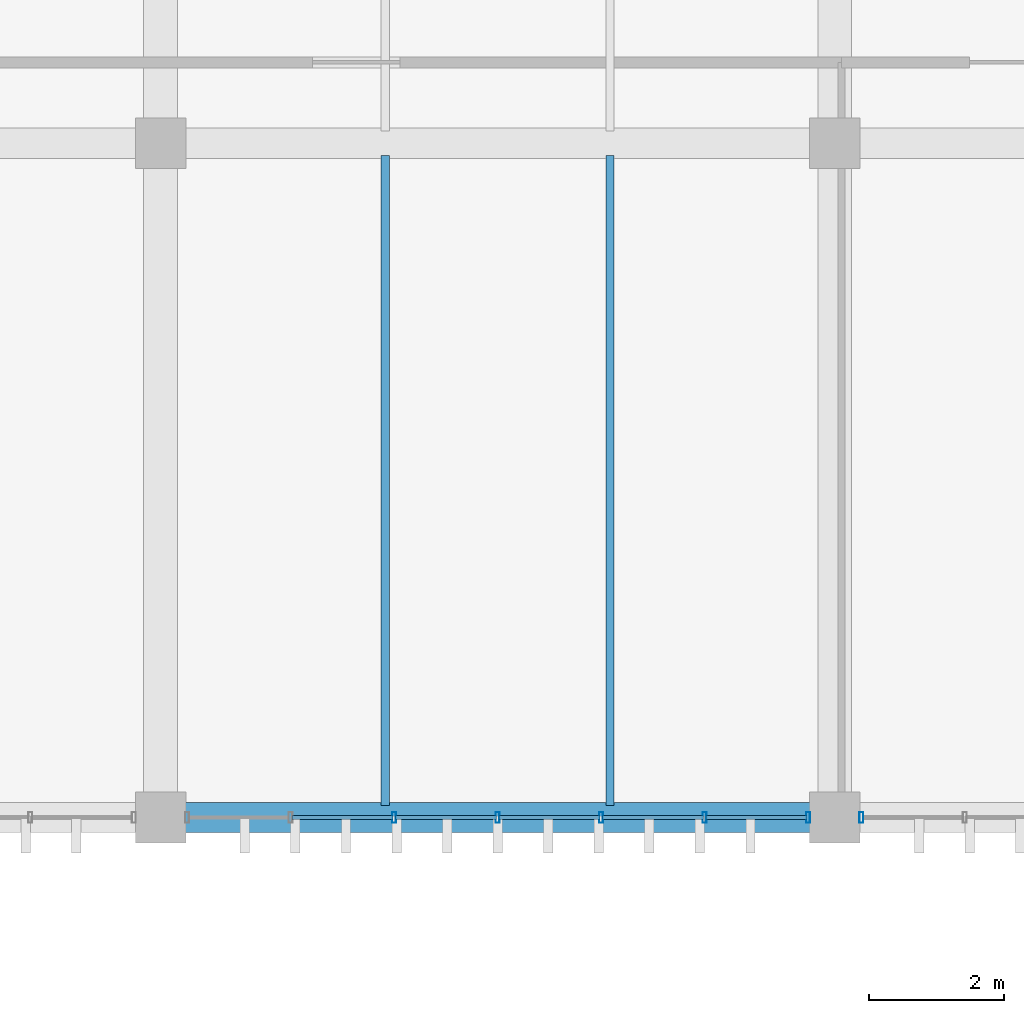
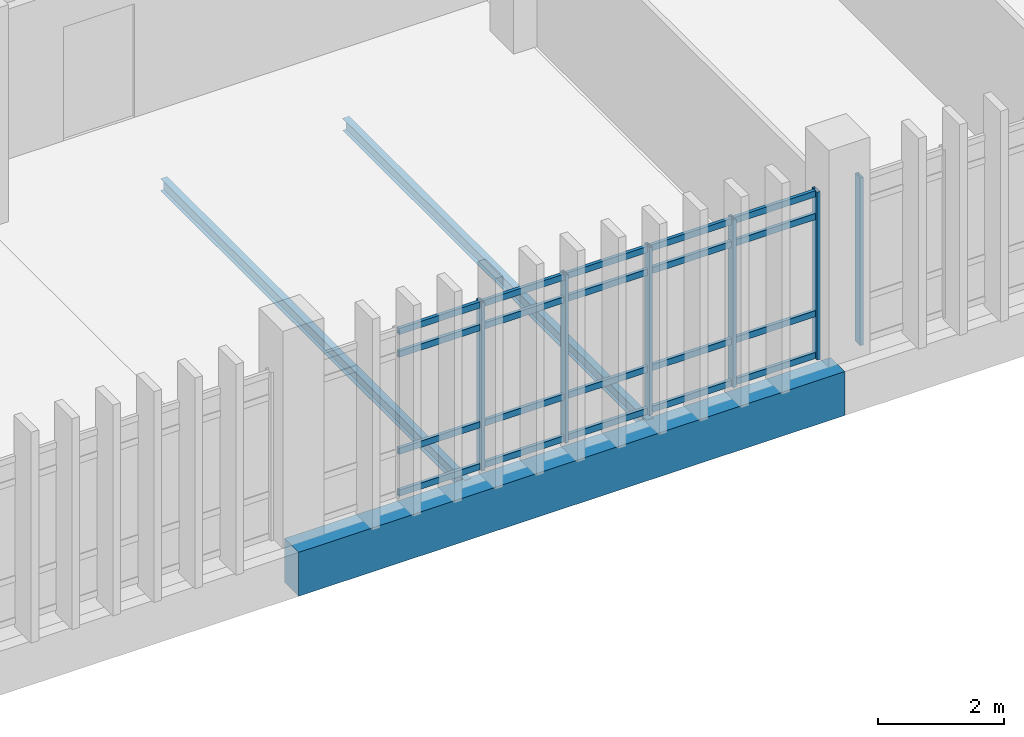
# One storey, part 43 of 111: 26 members, 3 beams, 2 elements without a shape of their own.
"""IFC4 building model written with IfcOpenShell, lengths in metres."""

from ifc_helpers import new_model, si_unit, direction, frame, origin, origin_2d, place, context, subcontext, project, spatial, rectangle, hollow_rectangle, i_section, extrude, material, layer, layer_set, material_profile, profile_set, type_object, element, aggregate, save


model = new_model("IFC4")

# Units and contexts
model_context = context("Model", 3, precision=1e-05, world=origin(), true_north=direction((0.0, 1.0)))
body_context = subcontext(model_context, "Body", "Model", "MODEL_VIEW")
ifc_project = project(units=[si_unit("LENGTHUNIT", "METRE"), si_unit("AREAUNIT", "SQUARE_METRE"), si_unit("VOLUMEUNIT", "CUBIC_METRE"), si_unit("PLANEANGLEUNIT", "RADIAN"), si_unit("MASSUNIT", "GRAM", prefix="KILO")], contexts=[model_context])

# Site, building, storey
site_placement = place(None, origin())
site = spatial("IfcSite", under=ifc_project, at=site_placement, CompositionType="ELEMENT")
building_placement = place(site_placement, origin())
building = spatial("IfcBuilding", under=site, at=building_placement, Name="Mersad Railyard Sports Hall", CompositionType="ELEMENT")
storey_placement = place(building_placement, frame((0.0, 0.0, 9.0)))
storey = spatial("IfcBuildingStorey", under=building, at=storey_placement, Name="L02", CompositionType="ELEMENT", Elevation=9.0)

# Curtain wall, members
ifc_material_1 = material(Name="Aluminium 6063-T6", Category="aluminium")
ifc_layer = layer(ifc_material_1, 0.159912109375)
ifc_layer_set = layer_set([ifc_layer], Name="Aluminium 6063-T6")
curtain_wall_type = type_object("IfcCurtainWallType", Name="ARC-CW-CW55", PredefinedType="USERDEFINED", material=ifc_layer_set)
curtain_wall_1_placement = place(storey_placement, origin())
curtain_wall_1 = element("IfcCurtainWall", 1, at=curtain_wall_1_placement, inside=storey, type_object=curtain_wall_type, Name="Curtain wall CW55-0148", ObjectType="CURTAIN WALL", PredefinedType="USERDEFINED")
ifc_material_profile_1 = material_profile(ifc_material_1, hollow_rectangle(XDim=0.06005859375, YDim=0.159912109375, WallThickness=0.00390625, at=origin_2d()), Name="AL MULLION 60x160x4")
ifc_profile_set_1 = profile_set([ifc_material_profile_1], Name="Aluminium 6063-T6")
member_type_1 = type_object("IfcMemberType", Name="ARC-CW-MUL01", PredefinedType="MULLION", material=ifc_profile_set_1)
member_1_placement = place(storey_placement, frame((110.60498046875, 85.0, -0.02001953125), z_axis=(0.0, 0.0, 1.0), x_axis=(1.0, 0.0, 0.0)))
member_1 = element("IfcMember", 2, at=member_1_placement, type_object=member_type_1, Name="CW55 Mullion 1", PredefinedType="MULLION", context=body_context, shape_type="SweptSolid", body=[
    extrude(hollow_rectangle(XDim=0.06005859375, YDim=0.159912109375, WallThickness=0.00390625, at=origin_2d()), origin(), (0.0, 0.0, 1.0), 3.25),
])
member_2_placement = place(storey_placement, frame((109.070068359375, 85.0, -0.02001953125), z_axis=(0.0, 0.0, 1.0), x_axis=(1.0, 0.0, 0.0)))
member_2 = element("IfcMember", 3, at=member_2_placement, type_object=member_type_1, Name="CW55 Mullion 2", PredefinedType="MULLION", context=body_context, shape_type="SweptSolid", body=[
    extrude(hollow_rectangle(XDim=0.06005859375, YDim=0.159912109375, WallThickness=0.00390625, at=origin_2d()), origin(), (0.0, 0.0, 1.0), 3.25),
])
member_3_placement = place(storey_placement, frame((107.534912109375, 85.0, -0.02001953125), z_axis=(0.0, 0.0, 1.0), x_axis=(1.0, 0.0, 0.0)))
member_3 = element("IfcMember", 4, at=member_3_placement, type_object=member_type_1, Name="CW55 Mullion 3", PredefinedType="MULLION", context=body_context, shape_type="SweptSolid", body=[
    extrude(hollow_rectangle(XDim=0.06005859375, YDim=0.159912109375, WallThickness=0.00390625, at=origin_2d()), origin(), (0.0, 0.0, 1.0), 3.25),
])
member_4_placement = place(storey_placement, frame((106.0, 85.0, -0.02001953125), z_axis=(0.0, 0.0, 1.0), x_axis=(1.0, 0.0, 0.0)))
member_4 = element("IfcMember", 5, at=member_4_placement, type_object=member_type_1, Name="CW55 Mullion 4", PredefinedType="MULLION", context=body_context, shape_type="SweptSolid", body=[
    extrude(hollow_rectangle(XDim=0.06005859375, YDim=0.159912109375, WallThickness=0.00390625, at=origin_2d()), origin(), (0.0, 0.0, 1.0), 3.25),
])
member_5_placement = place(storey_placement, frame((104.465087890625, 85.0, -0.02001953125), z_axis=(0.0, 0.0, 1.0), x_axis=(1.0, 0.0, 0.0)))
member_5 = element("IfcMember", 6, at=member_5_placement, type_object=member_type_1, Name="CW55 Mullion 5", PredefinedType="MULLION", context=body_context, shape_type="SweptSolid", body=[
    extrude(hollow_rectangle(XDim=0.06005859375, YDim=0.159912109375, WallThickness=0.00390625, at=origin_2d()), origin(), (0.0, 0.0, 1.0), 3.25),
])

# Curtain wall, member
curtain_wall_2_placement = place(storey_placement, origin())
curtain_wall_2 = element("IfcCurtainWall", 7, at=curtain_wall_2_placement, inside=storey, type_object=curtain_wall_type, Name="Curtain wall CW55-0149", ObjectType="CURTAIN WALL", PredefinedType="USERDEFINED")
member_6_placement = place(storey_placement, frame((111.39501953125, 85.0, -0.02001953125), z_axis=(0.0, 0.0, 1.0), x_axis=(1.0, 0.0, 0.0)))
member_6 = element("IfcMember", 8, at=member_6_placement, type_object=member_type_1, Name="CW55 Mullion 7", PredefinedType="MULLION", context=body_context, shape_type="SweptSolid", body=[
    extrude(hollow_rectangle(XDim=0.06005859375, YDim=0.159912109375, WallThickness=0.00390625, at=origin_2d()), origin(), (0.0, 0.0, 1.0), 3.25),
])
aggregate(curtain_wall_2, [member_6])

# Member
ifc_material_profile_2 = material_profile(ifc_material_1, hollow_rectangle(XDim=0.06005859375, YDim=0.1201171875, WallThickness=0.00390625, at=origin_2d()), Name="AL TRANSOM 60x120x4")
ifc_profile_set_2 = profile_set([ifc_material_profile_2], Name="Aluminium 6063-T6")
member_type_2 = type_object("IfcMemberType", Name="ARC-CW-TRN01", PredefinedType="USERDEFINED", material=ifc_profile_set_2)
member_7_placement = place(storey_placement, frame((110.5849609375, 85.0, 0.0400390625), z_axis=(-1.0, 0.0, 0.0), x_axis=(0.0, -1.0, 0.0)))
member_7 = element("IfcMember", 9, at=member_7_placement, type_object=member_type_2, Name="CW55 Transom 1-1", ObjectType="TRANSOM", PredefinedType="USERDEFINED", context=body_context, shape_type="SweptSolid", body=[
    extrude(hollow_rectangle(XDim=0.06005859375, YDim=0.1201171875, WallThickness=0.00390625, at=origin_2d()), origin(), (0.0, 0.0, 1.0), 1.494873046875),
])

member_8_placement = place(storey_placement, frame((109.050048828125, 85.0, 0.0400390625), z_axis=(-1.0, 0.0, 0.0), x_axis=(0.0, -1.0, 0.0)))
member_8 = element("IfcMember", 10, at=member_8_placement, type_object=member_type_2, Name="CW55 Transom 1-2", ObjectType="TRANSOM", PredefinedType="USERDEFINED", context=body_context, shape_type="SweptSolid", body=[
    extrude(hollow_rectangle(XDim=0.06005859375, YDim=0.1201171875, WallThickness=0.00390625, at=origin_2d()), origin(), (0.0, 0.0, 1.0), 1.4951171875),
])

member_9_placement = place(storey_placement, frame((107.514892578125, 85.0, 0.0400390625), z_axis=(-1.0, 0.0, 0.0), x_axis=(0.0, -1.0, 0.0)))
member_9 = element("IfcMember", 11, at=member_9_placement, type_object=member_type_2, Name="CW55 Transom 1-3", ObjectType="TRANSOM", PredefinedType="USERDEFINED", context=body_context, shape_type="SweptSolid", body=[
    extrude(hollow_rectangle(XDim=0.06005859375, YDim=0.1201171875, WallThickness=0.00390625, at=origin_2d()), origin(), (0.0, 0.0, 1.0), 1.494873046875),
])

member_10_placement = place(storey_placement, frame((105.97998046875, 85.0, 0.0400390625), z_axis=(-1.0, 0.0, 0.0), x_axis=(0.0, -1.0, 0.0)))
member_10 = element("IfcMember", 12, at=member_10_placement, type_object=member_type_2, Name="CW55 Transom 1-4", ObjectType="TRANSOM", PredefinedType="USERDEFINED", context=body_context, shape_type="SweptSolid", body=[
    extrude(hollow_rectangle(XDim=0.06005859375, YDim=0.1201171875, WallThickness=0.00390625, at=origin_2d()), origin(), (0.0, 0.0, 1.0), 1.494873046875),
])

member_11_placement = place(storey_placement, frame((104.445068359375, 85.0, 0.0400390625), z_axis=(-1.0, 0.0, 0.0), x_axis=(0.0, -1.0, 0.0)))
member_11 = element("IfcMember", 13, at=member_11_placement, type_object=member_type_2, Name="CW55 Transom 1-5", ObjectType="TRANSOM", PredefinedType="USERDEFINED", context=body_context, shape_type="SweptSolid", body=[
    extrude(hollow_rectangle(XDim=0.06005859375, YDim=0.1201171875, WallThickness=0.00390625, at=origin_2d()), origin(), (0.0, 0.0, 1.0), 1.4951171875),
])

member_12_placement = place(storey_placement, frame((110.5849609375, 85.0, 0.85009765625), z_axis=(-1.0, 0.0, 0.0), x_axis=(0.0, -1.0, 0.0)))
member_12 = element("IfcMember", 14, at=member_12_placement, type_object=member_type_2, Name="CW55 Transom 2-1", ObjectType="TRANSOM", PredefinedType="USERDEFINED", context=body_context, shape_type="SweptSolid", body=[
    extrude(hollow_rectangle(XDim=0.06005859375, YDim=0.1201171875, WallThickness=0.00390625, at=origin_2d()), origin(), (0.0, 0.0, 1.0), 1.494873046875),
])

member_13_placement = place(storey_placement, frame((109.050048828125, 85.0, 0.85009765625), z_axis=(-1.0, 0.0, 0.0), x_axis=(0.0, -1.0, 0.0)))
member_13 = element("IfcMember", 15, at=member_13_placement, type_object=member_type_2, Name="CW55 Transom 2-2", ObjectType="TRANSOM", PredefinedType="USERDEFINED", context=body_context, shape_type="SweptSolid", body=[
    extrude(hollow_rectangle(XDim=0.06005859375, YDim=0.1201171875, WallThickness=0.00390625, at=origin_2d()), origin(), (0.0, 0.0, 1.0), 1.4951171875),
])

member_14_placement = place(storey_placement, frame((107.514892578125, 85.0, 0.85009765625), z_axis=(-1.0, 0.0, 0.0), x_axis=(0.0, -1.0, 0.0)))
member_14 = element("IfcMember", 16, at=member_14_placement, type_object=member_type_2, Name="CW55 Transom 2-3", ObjectType="TRANSOM", PredefinedType="USERDEFINED", context=body_context, shape_type="SweptSolid", body=[
    extrude(hollow_rectangle(XDim=0.06005859375, YDim=0.1201171875, WallThickness=0.00390625, at=origin_2d()), origin(), (0.0, 0.0, 1.0), 1.494873046875),
])

member_15_placement = place(storey_placement, frame((105.97998046875, 85.0, 0.85009765625), z_axis=(-1.0, 0.0, 0.0), x_axis=(0.0, -1.0, 0.0)))
member_15 = element("IfcMember", 17, at=member_15_placement, type_object=member_type_2, Name="CW55 Transom 2-4", ObjectType="TRANSOM", PredefinedType="USERDEFINED", context=body_context, shape_type="SweptSolid", body=[
    extrude(hollow_rectangle(XDim=0.06005859375, YDim=0.1201171875, WallThickness=0.00390625, at=origin_2d()), origin(), (0.0, 0.0, 1.0), 1.494873046875),
])

member_16_placement = place(storey_placement, frame((104.445068359375, 85.0, 0.85009765625), z_axis=(-1.0, 0.0, 0.0), x_axis=(0.0, -1.0, 0.0)))
member_16 = element("IfcMember", 18, at=member_16_placement, type_object=member_type_2, Name="CW55 Transom 2-5", ObjectType="TRANSOM", PredefinedType="USERDEFINED", context=body_context, shape_type="SweptSolid", body=[
    extrude(hollow_rectangle(XDim=0.06005859375, YDim=0.1201171875, WallThickness=0.00390625, at=origin_2d()), origin(), (0.0, 0.0, 1.0), 1.4951171875),
])

member_17_placement = place(storey_placement, frame((110.5849609375, 85.0, 2.72998046875), z_axis=(-1.0, 0.0, 0.0), x_axis=(0.0, -1.0, 0.0)))
member_17 = element("IfcMember", 19, at=member_17_placement, type_object=member_type_2, Name="CW55 Transom 3-1", ObjectType="TRANSOM", PredefinedType="USERDEFINED", context=body_context, shape_type="SweptSolid", body=[
    extrude(hollow_rectangle(XDim=0.06005859375, YDim=0.1201171875, WallThickness=0.00390625, at=origin_2d()), origin(), (0.0, 0.0, 1.0), 1.494873046875),
])

member_18_placement = place(storey_placement, frame((109.050048828125, 85.0, 2.72998046875), z_axis=(-1.0, 0.0, 0.0), x_axis=(0.0, -1.0, 0.0)))
member_18 = element("IfcMember", 20, at=member_18_placement, type_object=member_type_2, Name="CW55 Transom 3-2", ObjectType="TRANSOM", PredefinedType="USERDEFINED", context=body_context, shape_type="SweptSolid", body=[
    extrude(hollow_rectangle(XDim=0.06005859375, YDim=0.1201171875, WallThickness=0.00390625, at=origin_2d()), origin(), (0.0, 0.0, 1.0), 1.4951171875),
])

member_19_placement = place(storey_placement, frame((107.514892578125, 85.0, 2.72998046875), z_axis=(-1.0, 0.0, 0.0), x_axis=(0.0, -1.0, 0.0)))
member_19 = element("IfcMember", 21, at=member_19_placement, type_object=member_type_2, Name="CW55 Transom 3-3", ObjectType="TRANSOM", PredefinedType="USERDEFINED", context=body_context, shape_type="SweptSolid", body=[
    extrude(hollow_rectangle(XDim=0.06005859375, YDim=0.1201171875, WallThickness=0.00390625, at=origin_2d()), origin(), (0.0, 0.0, 1.0), 1.494873046875),
])

member_20_placement = place(storey_placement, frame((105.97998046875, 85.0, 2.72998046875), z_axis=(-1.0, 0.0, 0.0), x_axis=(0.0, -1.0, 0.0)))
member_20 = element("IfcMember", 22, at=member_20_placement, type_object=member_type_2, Name="CW55 Transom 3-4", ObjectType="TRANSOM", PredefinedType="USERDEFINED", context=body_context, shape_type="SweptSolid", body=[
    extrude(hollow_rectangle(XDim=0.06005859375, YDim=0.1201171875, WallThickness=0.00390625, at=origin_2d()), origin(), (0.0, 0.0, 1.0), 1.494873046875),
])

member_21_placement = place(storey_placement, frame((104.445068359375, 85.0, 2.72998046875), z_axis=(-1.0, 0.0, 0.0), x_axis=(0.0, -1.0, 0.0)))
member_21 = element("IfcMember", 23, at=member_21_placement, type_object=member_type_2, Name="CW55 Transom 3-5", ObjectType="TRANSOM", PredefinedType="USERDEFINED", context=body_context, shape_type="SweptSolid", body=[
    extrude(hollow_rectangle(XDim=0.06005859375, YDim=0.1201171875, WallThickness=0.00390625, at=origin_2d()), origin(), (0.0, 0.0, 1.0), 1.4951171875),
])

member_22_placement = place(storey_placement, frame((110.5849609375, 85.0, 3.169921875), z_axis=(-1.0, 0.0, 0.0), x_axis=(0.0, -1.0, 0.0)))
member_22 = element("IfcMember", 24, at=member_22_placement, type_object=member_type_2, Name="CW55 Transom 4-1", ObjectType="TRANSOM", PredefinedType="USERDEFINED", context=body_context, shape_type="SweptSolid", body=[
    extrude(hollow_rectangle(XDim=0.06005859375, YDim=0.1201171875, WallThickness=0.00390625, at=origin_2d()), origin(), (0.0, 0.0, 1.0), 1.494873046875),
])

member_23_placement = place(storey_placement, frame((109.050048828125, 85.0, 3.169921875), z_axis=(-1.0, 0.0, 0.0), x_axis=(0.0, -1.0, 0.0)))
member_23 = element("IfcMember", 25, at=member_23_placement, type_object=member_type_2, Name="CW55 Transom 4-2", ObjectType="TRANSOM", PredefinedType="USERDEFINED", context=body_context, shape_type="SweptSolid", body=[
    extrude(hollow_rectangle(XDim=0.06005859375, YDim=0.1201171875, WallThickness=0.00390625, at=origin_2d()), origin(), (0.0, 0.0, 1.0), 1.4951171875),
])

member_24_placement = place(storey_placement, frame((107.514892578125, 85.0, 3.169921875), z_axis=(-1.0, 0.0, 0.0), x_axis=(0.0, -1.0, 0.0)))
member_24 = element("IfcMember", 26, at=member_24_placement, type_object=member_type_2, Name="CW55 Transom 4-3", ObjectType="TRANSOM", PredefinedType="USERDEFINED", context=body_context, shape_type="SweptSolid", body=[
    extrude(hollow_rectangle(XDim=0.06005859375, YDim=0.1201171875, WallThickness=0.00390625, at=origin_2d()), origin(), (0.0, 0.0, 1.0), 1.494873046875),
])

member_25_placement = place(storey_placement, frame((105.97998046875, 85.0, 3.169921875), z_axis=(-1.0, 0.0, 0.0), x_axis=(0.0, -1.0, 0.0)))
member_25 = element("IfcMember", 27, at=member_25_placement, type_object=member_type_2, Name="CW55 Transom 4-4", ObjectType="TRANSOM", PredefinedType="USERDEFINED", context=body_context, shape_type="SweptSolid", body=[
    extrude(hollow_rectangle(XDim=0.06005859375, YDim=0.1201171875, WallThickness=0.00390625, at=origin_2d()), origin(), (0.0, 0.0, 1.0), 1.494873046875),
])

member_26_placement = place(storey_placement, frame((104.445068359375, 85.0, 3.169921875), z_axis=(-1.0, 0.0, 0.0), x_axis=(0.0, -1.0, 0.0)))
member_26 = element("IfcMember", 28, at=member_26_placement, type_object=member_type_2, Name="CW55 Transom 4-5", ObjectType="TRANSOM", PredefinedType="USERDEFINED", context=body_context, shape_type="SweptSolid", body=[
    extrude(hollow_rectangle(XDim=0.06005859375, YDim=0.1201171875, WallThickness=0.00390625, at=origin_2d()), origin(), (0.0, 0.0, 1.0), 1.4951171875),
])

aggregate(curtain_wall_1, [member_1, member_2, member_3, member_4, member_5, member_7, member_8, member_9, member_10, member_11, member_12, member_13, member_14, member_15, member_16, member_17, member_18, member_19, member_20, member_21, member_22, member_23, member_24, member_25, member_26])

# Beams
ifc_material_2 = material(Name="Concrete C40/50", Category="concrete")
ifc_material_profile_3 = material_profile(ifc_material_2, rectangle(XDim=0.449951171875, YDim=0.85009765625, at=origin_2d()), Name="RC 450x850")
ifc_profile_set_3 = profile_set([ifc_material_profile_3], Name="Concrete C40/50")
beam_type_1 = type_object("IfcBeamType", Name="STR-BM-B02", PredefinedType="BEAM", material=ifc_profile_set_3)
beam_placement = place(storey_placement, frame((101.0, 85.0, -0.72509765625), z_axis=(1.0, 0.0, 0.0), x_axis=(0.0, 1.0, 0.0)))
element("IfcBeam", 29, at=beam_placement, inside=storey, type_object=beam_type_1, Name="Beam B02-1070", PredefinedType="BEAM", context=body_context, shape_type="SweptSolid", body=[
    extrude(rectangle(XDim=0.449951171875, YDim=0.85009765625, at=origin_2d()), origin(), (0.0, 0.0, 1.0), 10.0),
])
ifc_material_3 = material(Name="Steel S355", Category="steel")
ifc_material_profile_4 = material_profile(ifc_material_3, i_section(OverallWidth=0.1201171875, OverallDepth=0.239990234375, WebThickness=0.006103515625, FlangeThickness=0.009765625, at=origin_2d()), Name="IPE 240")
ifc_profile_set_4 = profile_set([ifc_material_profile_4], Name="Steel S355")
beam_type_2 = type_object("IfcBeamType", Name="STR-BM-SB03", PredefinedType="BEAM", material=ifc_profile_set_4)
for number, where, z_axis, x_axis, name in (
    (30, (104.3330078125, 85.179931640625, -0.419921875), (0.0, 1.0, 0.0), (-1.0, 0.0, 0.0), "Beam SB03-1176"),
    (31, (107.6669921875, 85.179931640625, -0.419921875), (0.0, 1.0, 0.0), (-1.0, 0.0, 0.0), "Beam SB03-1177"),
):
    element("IfcBeam", number, at=place(storey_placement, frame(where, z_axis=z_axis, x_axis=x_axis)), inside=storey, type_object=beam_type_2, Name=name, PredefinedType="BEAM", context=body_context, shape_type="SweptSolid", body=[
        extrude(i_section(OverallWidth=0.1201171875, OverallDepth=0.239990234375, WebThickness=0.006103515625, FlangeThickness=0.009765625, at=origin_2d()), origin(), (0.0, 0.0, 1.0), 9.64013671875),
    ])

save(model, "model.ifc")
